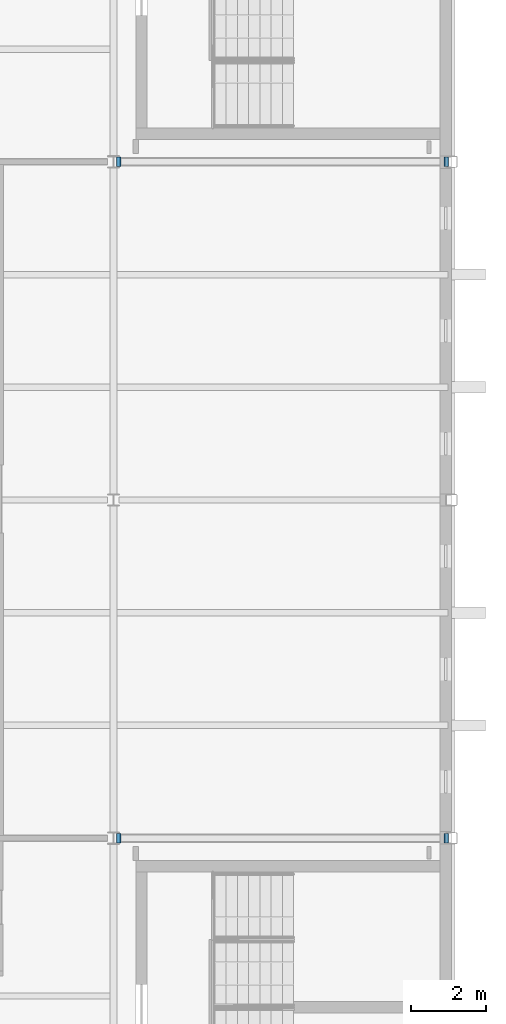
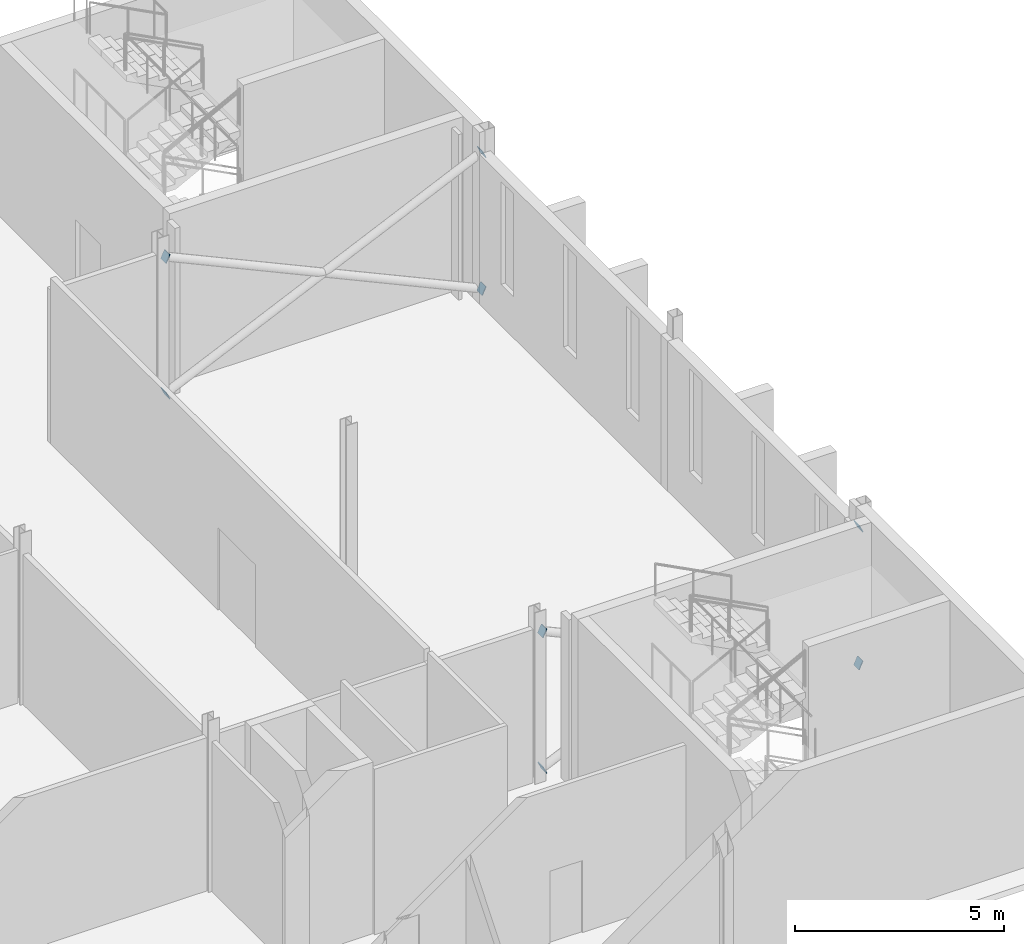
# One storey, part 107 of 115: 8 discrete accessories.
"""IFC4 building model written with IfcOpenShell, lengths in metres."""

import ifcopenshell
import ifcopenshell.guid

model = None  # the IFC model being written
_history = None  # IfcOwnerHistory: only IFC2X3 demands one
_inside = {}  # id of a spatial element -> (the spatial element, [elements in it])
_under = {}  # id of a project, library or spatial element -> (it, [spatial elements below it])
_declared = {}  # id of a project -> (the project, [libraries it declares])
_typed = {}  # id of a type object -> (the type object, [elements of that type])
_made_of = {}  # id of a material, layer set ... -> (it, [elements and type objects made of it])


def new_model(schema):
    """Start an empty IFC model of exactly this schema.

    Asked for "IFC4X3", IfcOpenShell would pick the latest addendum, in which some entities
    have other attributes; the version numbers below select the first issue.
    IFC2X3 requires an IfcOwnerHistory on every rooted entity: one is made here for all.
    """
    global model, _history
    if schema == "IFC4X3":
        model = ifcopenshell.file(schema_version=(4, 3, 0, 0))
    else:
        model = ifcopenshell.file(schema=schema)
    _inside.clear()
    _under.clear()
    _declared.clear()
    _typed.clear()
    _made_of.clear()
    _history = None
    if model.schema == "IFC2X3":
        org = make("IfcOrganization", Name="unknown")
        user = make(
            "IfcPersonAndOrganization",
            ThePerson=make("IfcPerson", FamilyName="unknown"),
            TheOrganization=org,
        )
        app = make(
            "IfcApplication",
            ApplicationDeveloper=org,
            Version="unknown",
            ApplicationFullName="unknown",
            ApplicationIdentifier="unknown",
        )
        _history = make(
            "IfcOwnerHistory",
            OwningUser=user,
            OwningApplication=app,
            ChangeAction="ADDED",
            CreationDate=0,
        )
    return model


def make(cls, **values):
    """One entity of the class cls with the attributes given. An attribute that is None is left unset."""
    return model.create_entity(
        cls, **{name: value for name, value in values.items() if value is not None}
    )


def rooted(cls, **values):
    """An entity with a GlobalId (a new one), such as an element, a storey or a relation."""
    return make(cls, GlobalId=ifcopenshell.guid.new(), OwnerHistory=_history, **values)


def si_unit(unit_type, name, prefix=None):
    """IfcSIUnit, for example si_unit("LENGTHUNIT", "METRE", prefix="MILLI")."""
    return make("IfcSIUnit", UnitType=unit_type, Prefix=prefix, Name=name)


def assignment(units):
    """IfcUnitAssignment: the units of a project."""
    return None if units is None else make("IfcUnitAssignment", Units=units)


def point(xyz):
    """IfcCartesianPoint."""
    return None if xyz is None else make("IfcCartesianPoint", Coordinates=xyz)


def direction(xyz):
    """IfcDirection."""
    return None if xyz is None else make("IfcDirection", DirectionRatios=xyz)


def frame(location, z_axis=None, x_axis=None):
    """IfcAxis2Placement3D, a coordinate frame: its origin and axes. An axis left out is left unset."""
    return make(
        "IfcAxis2Placement3D",
        Location=point(location),
        Axis=direction(z_axis),
        RefDirection=direction(x_axis),
    )


def origin():
    """The frame at (0, 0, 0) with its axes left unset."""
    return frame((0.0, 0.0, 0.0))


def place(relative_to, where):
    """IfcLocalPlacement: puts the frame where relative to a parent placement (None: the world)."""
    return make(
        "IfcLocalPlacement", PlacementRelTo=relative_to, RelativePlacement=where
    )


def context(
    kind, dimensions, precision=None, world=None, true_north=None, identifier=None
):
    """IfcGeometricRepresentationContext, for example the 3D "Model" context."""
    return make(
        "IfcGeometricRepresentationContext",
        ContextIdentifier=identifier,
        ContextType=kind,
        CoordinateSpaceDimension=dimensions,
        Precision=precision,
        WorldCoordinateSystem=world,
        TrueNorth=true_north,
    )


def subcontext(parent, identifier, kind, view, scale=None):
    """IfcGeometricRepresentationSubContext, for example "Body" below "Model"."""
    return make(
        "IfcGeometricRepresentationSubContext",
        ContextIdentifier=identifier,
        ContextType=kind,
        ParentContext=parent,
        TargetScale=scale,
        TargetView=view,
    )


def project(units=None, contexts=None):
    """IfcProject with its units and contexts."""
    return rooted(
        "IfcProject",
        Name="project",
        RepresentationContexts=contexts,
        UnitsInContext=assignment(units),
    )


def spatial(cls, under=None, at=None, **own):
    """A site, building, storey or space (cls), placed at a placement, below another one or the project."""
    s = rooted(cls, ObjectPlacement=at, **own)
    if under is not None:
        _under.setdefault(under.id(), (under, []))[1].append(s)
    return s


def polyline(points):
    """IfcPolyline through the points."""
    return make("IfcPolyline", Points=[point(p) for p in points])


def outline(outer, holes=None, kind="AREA"):
    """IfcArbitraryClosedProfileDef: a profile drawn as a closed curve; with holes, ...WithVoids."""
    if holes is None:
        return make("IfcArbitraryClosedProfileDef", ProfileType=kind, OuterCurve=outer)
    return make(
        "IfcArbitraryProfileDefWithVoids",
        ProfileType=kind,
        OuterCurve=outer,
        InnerCurves=holes,
    )


def extrude(swept, where, along, depth):
    """IfcExtrudedAreaSolid: the profile swept, set in the frame where, extruded along a direction by depth."""
    return make(
        "IfcExtrudedAreaSolid",
        SweptArea=swept,
        Position=where,
        ExtrudedDirection=direction(along),
        Depth=depth,
    )


def shape(context_of_items, identifier, shape_type, items):
    """IfcShapeRepresentation: the items that make up one representation, for example the "Body"."""
    return make(
        "IfcShapeRepresentation",
        ContextOfItems=context_of_items,
        RepresentationIdentifier=identifier,
        RepresentationType=shape_type,
        Items=items,
    )


def material(Name=None, Category=None):
    """IfcMaterial."""
    return make("IfcMaterial", Name=Name, Category=Category)


def layer(
    of_material, thickness, ventilated=None, Name=None, Category=None, Priority=None
):
    """IfcMaterialLayer: one layer of a wall or slab, of a material (None: an air gap)."""
    return make(
        "IfcMaterialLayer",
        Material=of_material,
        LayerThickness=thickness,
        IsVentilated=ventilated,
        Name=Name,
        Category=Category,
        Priority=Priority,
    )


def layer_set(layers, Name=None):
    """IfcMaterialLayerSet."""
    return make("IfcMaterialLayerSet", MaterialLayers=layers, LayerSetName=Name)


def made_of(thing, what):
    """Note that an element or type object is made of a material, layer set ...; save() writes the relation."""
    if what is not None:
        _made_of.setdefault(what.id(), (what, []))[1].append(thing)
    return thing


def type_object(cls, material=None, **own):
    """A type object (cls), such as IfcWallType, which elements share."""
    return made_of(rooted(cls, **own), material)


def element(
    cls,
    number,
    at=None,
    inside=None,
    cuts=None,
    type_object=None,
    material=None,
    context=None,
    identifier="Body",
    shape_type=None,
    held_by="IfcProductDefinitionShape",
    body=None,
    shapes=None,
    **own,
):
    """One element of the class cls, such as IfcWall. Its Tag is "e" and its number.

    at: its placement. inside: the storey or other place that contains it. cuts: it is an
    opening in that element (IfcRelVoidsElement). A single representation is given by context,
    identifier, shape_type and body (its items); several are given by shapes. held_by: the class
    of the entity that holds the representations. save() writes the other relations.
    """
    e = rooted(cls, Tag="e%d" % number, ObjectPlacement=at, **own)
    if body is not None:
        shapes = [shape(context, identifier, shape_type, body)]
    if shapes is not None:
        e.Representation = make(held_by, Representations=shapes)
    if inside is not None:
        _inside.setdefault(inside.id(), (inside, []))[1].append(e)
    if cuts is not None:
        rooted(
            "IfcRelVoidsElement", RelatingBuildingElement=cuts, RelatedOpeningElement=e
        )
    if type_object is not None:
        _typed.setdefault(type_object.id(), (type_object, []))[1].append(e)
    return made_of(e, material)


def aggregate(whole, parts):
    """IfcRelAggregates: a whole, such as a stair, and the parts it consists of."""
    return rooted("IfcRelAggregates", RelatingObject=whole, RelatedObjects=parts)


def save(model, path):
    """Write the relations noted so far, then the file.

    IfcRelAggregates (storeys below a building ...), IfcRelContainedInSpatialStructure (elements
    in a storey), IfcRelDefinesByType, IfcRelAssociatesMaterial and IfcRelDeclares: one each for
    every whole, place, type object, material and project.
    """
    for whole, parts in _under.values():
        aggregate(whole, parts)
    for where, things in _inside.values():
        rooted(
            "IfcRelContainedInSpatialStructure",
            RelatedElements=things,
            RelatingStructure=where,
        )
    for kind, things in _typed.values():
        rooted("IfcRelDefinesByType", RelatedObjects=things, RelatingType=kind)
    for what, things in _made_of.values():
        rooted("IfcRelAssociatesMaterial", RelatedObjects=things, RelatingMaterial=what)
    for by, libraries in _declared.values():
        rooted("IfcRelDeclares", RelatingContext=by, RelatedDefinitions=libraries)
    model.write(path)


model = new_model("IFC4")

# Units and contexts
model_context = context("Model", 3, precision=1e-05, world=origin(), true_north=direction((0.0, 1.0)))
body_context = subcontext(model_context, "Body", "Model", "MODEL_VIEW")
ifc_project = project(units=[si_unit("LENGTHUNIT", "METRE"), si_unit("AREAUNIT", "SQUARE_METRE"), si_unit("VOLUMEUNIT", "CUBIC_METRE"), si_unit("PLANEANGLEUNIT", "RADIAN"), si_unit("MASSUNIT", "GRAM", prefix="KILO")], contexts=[model_context])

# Site, building, storey
site_placement = place(None, origin())
site = spatial("IfcSite", under=ifc_project, at=site_placement, CompositionType="ELEMENT")
building_placement = place(site_placement, origin())
building = spatial("IfcBuilding", under=site, at=building_placement, Name="Shorebreak Coast Museum", CompositionType="ELEMENT")
storey_placement = place(building_placement, frame((0.0, 0.0, 11.0)))
storey = spatial("IfcBuildingStorey", under=building, at=storey_placement, Name="L02", CompositionType="ELEMENT", Elevation=11.0)

# Discrete accessories
ifc_material = material(Name="Steel Grade 300", Category="steel")
ifc_layer = layer(ifc_material, 0.02490234375)
ifc_layer_set = layer_set([ifc_layer], Name="Steel Grade 300")
discrete_accessory_type = type_object("IfcDiscreteAccessoryType", Name="End plate 250 x 250 x 25", PredefinedType="BRACKET", material=ifc_layer_set)
for number, where, z_axis, x_axis, name in (
    (1, (162.20556640625, 62.875, 0.186279296875), (0.909495559707, 0.0, 0.41571363566), (0.0, 1.0, 0.0), "End plate X-brace bay 07 L02 diagonal 1 end 1"),
    (2, (170.9248046875, 62.875, 4.171630859375), (0.909495559707, 0.0, 0.41571363566), (0.0, 1.0, 0.0), "End plate X-brace bay 07 L02 diagonal 1 end 2"),
    (3, (170.798095703125, 63.125, 0.186279296875), (-0.909495559707, 0.0, 0.41571363566), (0.0, -1.0, 0.0), "End plate X-brace bay 07 L02 diagonal 2 end 1"),
):
    element("IfcDiscreteAccessory", number, at=place(storey_placement, frame(where, z_axis=z_axis, x_axis=x_axis)), inside=storey, type_object=discrete_accessory_type, Name=name, PredefinedType="BRACKET", context=body_context, shape_type="SweptSolid", body=[
        extrude(outline(polyline([(0.0, 0.0), (0.25, 0.0), (0.25, 0.2501816089936223), (0.0, 0.2501816089936223), (0.0, 0.0)])), origin(), (0.0, 0.0, -1.0), 0.02490234375),
    ])
discrete_accessory_1_placement = place(storey_placement, frame((162.078857421875, 63.125, 4.171630859375), z_axis=(-0.909864310999, 0.0, 0.41490593581), x_axis=(0.0, -1.0, 0.0)))
element("IfcDiscreteAccessory", 4, at=discrete_accessory_1_placement, inside=storey, type_object=discrete_accessory_type, Name="End plate X-brace bay 07 L02 diagonal 2 end 2", PredefinedType="BRACKET", context=body_context, shape_type="SweptSolid", body=[
    extrude(outline(polyline([(0.0, 0.0), (0.25, 0.0), (0.25, 0.2500802149829807), (0.0, 0.2500802149829807), (0.0, 0.0)])), origin(), (0.0, 0.0, -1.0), 0.02490234375),
])
for number, where, z_axis, x_axis, name in (
    (5, (162.20556640625, 80.875, 0.186279296875), (0.909495559707, 0.0, 0.41571363566), (0.0, 1.0, 0.0), "End plate X-brace bay 08 L02 diagonal 1 end 1"),
    (6, (170.9248046875, 80.875, 4.171630859375), (0.909495559707, 0.0, 0.41571363566), (0.0, 1.0, 0.0), "End plate X-brace bay 08 L02 diagonal 1 end 2"),
    (7, (170.798095703125, 81.125, 0.186279296875), (-0.909495559707, 0.0, 0.41571363566), (0.0, -1.0, 0.0), "End plate X-brace bay 08 L02 diagonal 2 end 1"),
):
    element("IfcDiscreteAccessory", number, at=place(storey_placement, frame(where, z_axis=z_axis, x_axis=x_axis)), inside=storey, type_object=discrete_accessory_type, Name=name, PredefinedType="BRACKET", context=body_context, shape_type="SweptSolid", body=[
        extrude(outline(polyline([(0.0, 0.0), (0.25, 0.0), (0.25, 0.2501816089936223), (0.0, 0.2501816089936223), (0.0, 0.0)])), origin(), (0.0, 0.0, -1.0), 0.02490234375),
    ])
discrete_accessory_2_placement = place(storey_placement, frame((162.078857421875, 81.125, 4.171630859375), z_axis=(-0.909864310999, 0.0, 0.41490593581), x_axis=(0.0, -1.0, 0.0)))
element("IfcDiscreteAccessory", 8, at=discrete_accessory_2_placement, inside=storey, type_object=discrete_accessory_type, Name="End plate X-brace bay 08 L02 diagonal 2 end 2", PredefinedType="BRACKET", context=body_context, shape_type="SweptSolid", body=[
    extrude(outline(polyline([(0.0, 0.0), (0.25, 0.0), (0.25, 0.2500802149829807), (0.0, 0.2500802149829807), (0.0, 0.0)])), origin(), (0.0, 0.0, -1.0), 0.02490234375),
])

save(model, "model.ifc")
